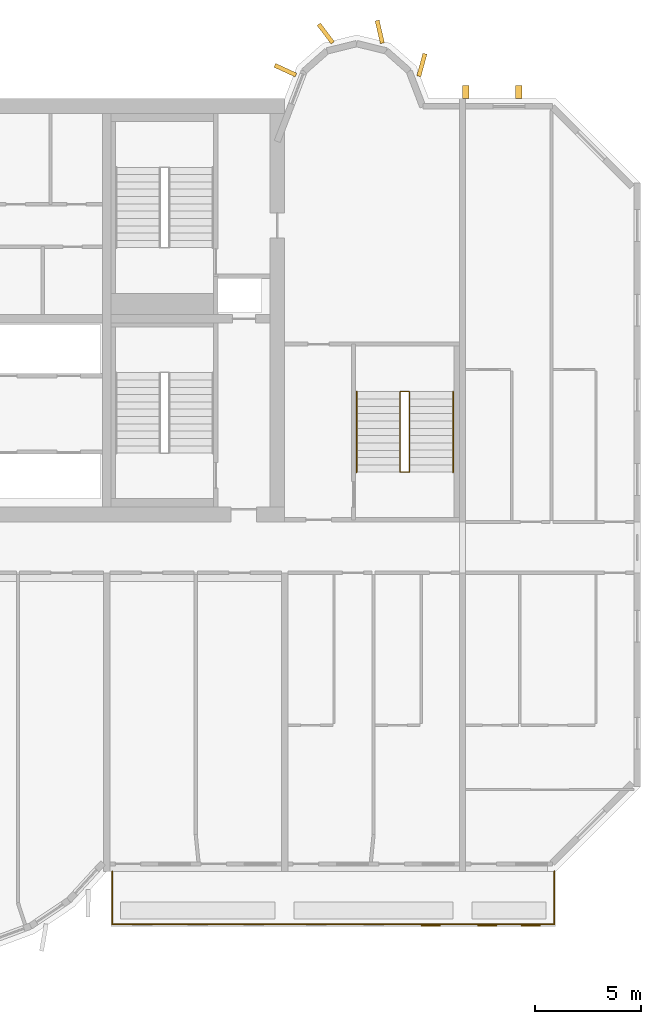
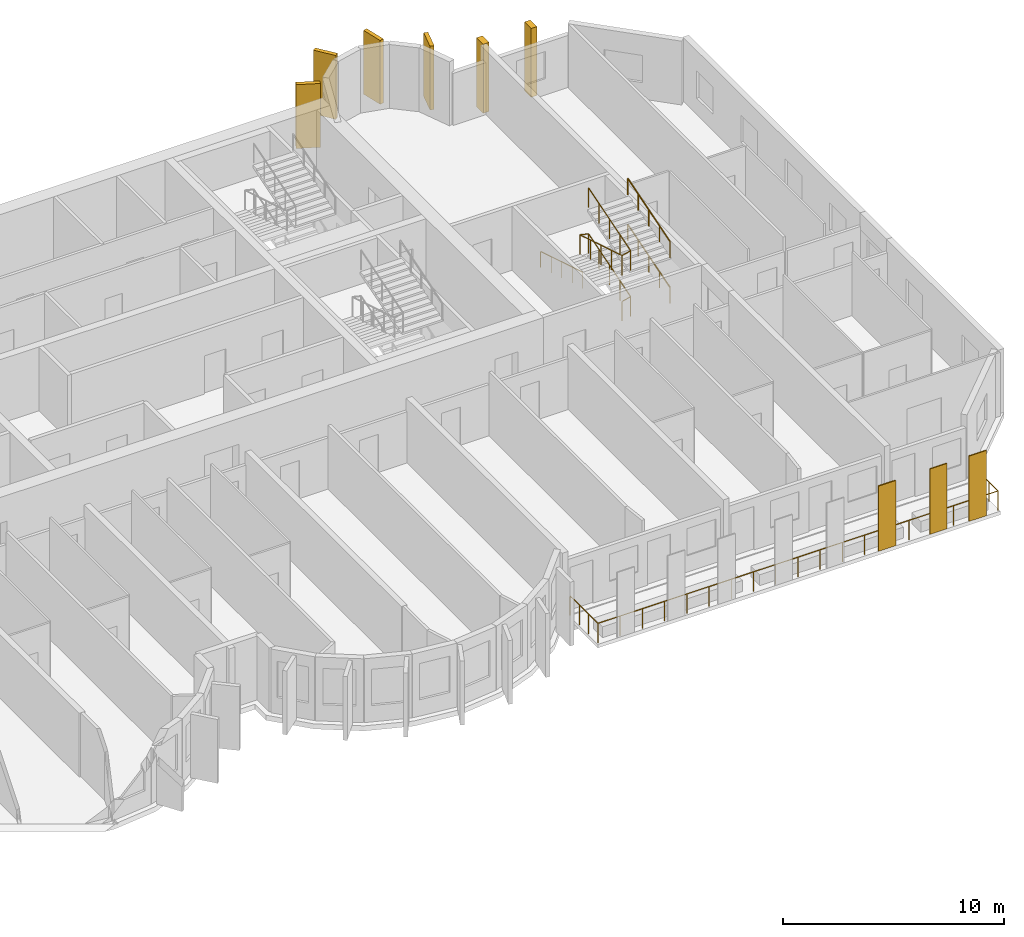
# One storey, part 12 of 13: 9 coverings, 5 railings.
"""IFC4 building model written with IfcOpenShell, lengths in metres."""

from ifc_helpers import new_model, si_unit, direction, frame, origin, origin_2d, place, context, subcontext, project, spatial, rectangle, circle, extrude, source, transform, mapped, material, layer, layer_set, material_profile, profile_set, type_object, element, save


model = new_model("IFC4")

# Units and contexts
model_context = context("Model", 3, precision=1e-05, world=origin(), true_north=direction((0.0, 1.0)))
body_context = subcontext(model_context, "Body", "Model", "MODEL_VIEW")
ifc_project = project(units=[si_unit("LENGTHUNIT", "METRE"), si_unit("AREAUNIT", "SQUARE_METRE"), si_unit("VOLUMEUNIT", "CUBIC_METRE"), si_unit("PLANEANGLEUNIT", "RADIAN"), si_unit("MASSUNIT", "GRAM", prefix="KILO")], contexts=[model_context])

# Site, building, storey
site_placement = place(None, origin())
site = spatial("IfcSite", under=ifc_project, at=site_placement, CompositionType="ELEMENT")
building_placement = place(site_placement, origin())
building = spatial("IfcBuilding", under=site, at=building_placement, Name="Vanashikhar Sky Hotel", CompositionType="ELEMENT")
storey_placement = place(building_placement, frame((0.0, 0.0, 163.0)))
storey = spatial("IfcBuildingStorey", under=building, at=storey_placement, Name="L39", CompositionType="ELEMENT", Elevation=163.0)

# Coverings
ifc_material_1 = material(Name="Terracotta", Category="masonry")
ifc_layer = layer(ifc_material_1, 0.06005859375)
ifc_layer_set = layer_set([ifc_layer], Name="Terracotta baguette screen")
covering_type_1 = type_object("IfcCoveringType", Name="Terracotta baguette screen", PredefinedType="CLADDING", material=ifc_layer_set)
shared_shape_1 = source(origin(), body_context, "Body", "SweptSolid", [
    extrude(rectangle(XDim=0.89990234375, YDim=0.06005859375, at=origin_2d()), origin(), (0.0, 0.0, 1.0), 3.60009765625),
])
for number, where, z_axis, x_axis, name in (
    (1, (82.5, 2.929931640625, -0.050048828125), (0.0, 0.0, 1.0), (1.0, 0.0, 0.0), "Terracotta screen"),
    (2, (85.175048828125, 2.929931640625, -0.050048828125), (0.0, 0.0, 1.0), (1.0, 0.0, 0.0), "Terracotta screen"),
    (3, (87.22509765625, 2.929931640625, -0.050048828125), (0.0, 0.0, 1.0), (1.0, 0.0, 0.0), "Terracotta screen"),
):
    element("IfcCovering", number, at=place(storey_placement, frame(where, z_axis=z_axis, x_axis=x_axis)), inside=storey, type_object=covering_type_1, Name=name, PredefinedType="CLADDING", context=body_context, shape_type="MappedRepresentation", body=[
        mapped(shared_shape_1, transform((0.0, 0.0, 0.0), scale=1.0)),
    ])
ifc_material_2 = material(Name="Concrete M60 dark", Category="concrete")
ifc_material_profile_1 = material_profile(ifc_material_2, rectangle(XDim=1.10009765625, YDim=0.199951171875, at=origin_2d()))
ifc_profile_set_1 = profile_set([ifc_material_profile_1], Name="Rear lobe fin 1100 x 200")
covering_type_2 = type_object("IfcCoveringType", Name="Rear lobe fin 1100 x 200", PredefinedType="CLADDING", material=ifc_profile_set_1)
shared_shape_2 = source(origin(), body_context, "Body", "SweptSolid", [
    extrude(rectangle(XDim=1.10009765625, YDim=0.199951171875, at=origin_2d()), origin(), (0.0, 0.0, 1.0), 3.52001953125),
])
for number, where, z_axis, x_axis, name in (
    (4, (75.63037109375, 43.33447265625, 0.0), (0.0, 0.0, 1.0), (-0.908004291068, 0.418960866193, 0.0), "Fin R2-1"),
    (5, (77.5380859375, 45.06640625, 0.0), (0.0, 0.0, 1.0), (-0.602065892195, 0.798446404874, 0.0), "Fin R2-2"),
    (6, (80.08984375, 45.1455078125, 0.0), (0.0, 0.0, 1.0), (-0.224644935864, 0.974440687159, 0.0), "Fin R2-3"),
    (7, (82.0791015625, 43.580078125, 0.0), (0.0, 0.0, 1.0), (0.262711264409, 0.964874495234, 0.0), "Fin R2-4"),
):
    element("IfcCovering", number, at=place(storey_placement, frame(where, z_axis=z_axis, x_axis=x_axis)), inside=storey, type_object=covering_type_2, Name=name, PredefinedType="CLADDING", context=body_context, shape_type="MappedRepresentation", body=[
        mapped(shared_shape_2, transform((0.0, 0.0, 0.0), scale=1.0)),
    ])

# Railing
ifc_material_3 = material(Name="Stainless steel 316", Category="steel")
railing_type_1 = type_object("IfcRailingType", Name="Balcony guard 1100", PredefinedType="GUARDRAIL", material=ifc_material_3)
shared_shape_3 = source(origin(), body_context, "Body", "SweptSolid", [
    extrude(circle(Radius=0.02392578125, at=origin_2d()), frame((0.0, 0.0, 1.076171875), z_axis=(0.0, -1.0, 0.0), x_axis=(1.0, 0.0, 0.0)), (0.0, 0.0, 1.0), 2.5),
    extrude(circle(Radius=0.02392578125, at=origin_2d()), frame((0.0, -2.5, 1.076171875), z_axis=(1.0, 0.0, 0.0), x_axis=(0.0, 1.0, 0.0)), (0.0, 0.0, 1.0), 20.880126953125),
    extrude(circle(Radius=0.02392578125, at=origin_2d()), frame((20.880126953125, -2.5, 1.076171875), z_axis=(0.0, 1.0, 0.0), x_axis=(-1.0, 0.0, 0.0)), (0.0, 0.0, 1.0), 2.5),
    extrude(circle(Radius=0.02099609375, at=origin_2d()), origin(), (0.0, 0.0, 1.0), 1.052001953125),
    extrude(circle(Radius=0.02099609375, at=origin_2d()), frame((0.0, -0.833251953125, 0.0)), (0.0, 0.0, 1.0), 1.052001953125),
    extrude(circle(Radius=0.02099609375, at=origin_2d()), frame((0.0, -1.666748046875, 0.0)), (0.0, 0.0, 1.0), 1.052001953125),
    extrude(circle(Radius=0.02099609375, at=origin_2d()), frame((0.0, -2.5, 0.0)), (0.0, 0.0, 1.0), 1.052001953125),
    extrude(circle(Radius=0.02099609375, at=origin_2d()), frame((1.159912109375, -2.5, 0.0)), (0.0, 0.0, 1.0), 1.052001953125),
    extrude(circle(Radius=0.02099609375, at=origin_2d()), frame((2.320068359375, -2.5, 0.0)), (0.0, 0.0, 1.0), 1.052001953125),
    extrude(circle(Radius=0.02099609375, at=origin_2d()), frame((3.47998046875, -2.5, 0.0)), (0.0, 0.0, 1.0), 1.052001953125),
    extrude(circle(Radius=0.02099609375, at=origin_2d()), frame((4.64013671875, -2.5, 0.0)), (0.0, 0.0, 1.0), 1.052001953125),
    extrude(circle(Radius=0.02099609375, at=origin_2d()), frame((5.800048828125, -2.5, 0.0)), (0.0, 0.0, 1.0), 1.052001953125),
    extrude(circle(Radius=0.02099609375, at=origin_2d()), frame((6.9599609375, -2.5, 0.0)), (0.0, 0.0, 1.0), 1.052001953125),
    extrude(circle(Radius=0.02099609375, at=origin_2d()), frame((8.1201171875, -2.5, 0.0)), (0.0, 0.0, 1.0), 1.052001953125),
    extrude(circle(Radius=0.02099609375, at=origin_2d()), frame((9.280029296875, -2.5, 0.0)), (0.0, 0.0, 1.0), 1.052001953125),
    extrude(circle(Radius=0.02099609375, at=origin_2d()), frame((10.43994140625, -2.5, 0.0)), (0.0, 0.0, 1.0), 1.052001953125),
    extrude(circle(Radius=0.02099609375, at=origin_2d()), frame((11.60009765625, -2.5, 0.0)), (0.0, 0.0, 1.0), 1.052001953125),
    extrude(circle(Radius=0.02099609375, at=origin_2d()), frame((12.760009765625, -2.5, 0.0)), (0.0, 0.0, 1.0), 1.052001953125),
    extrude(circle(Radius=0.02099609375, at=origin_2d()), frame((13.920166015625, -2.5, 0.0)), (0.0, 0.0, 1.0), 1.052001953125),
    extrude(circle(Radius=0.02099609375, at=origin_2d()), frame((15.080078125, -2.5, 0.0)), (0.0, 0.0, 1.0), 1.052001953125),
    extrude(circle(Radius=0.02099609375, at=origin_2d()), frame((16.239990234375, -2.5, 0.0)), (0.0, 0.0, 1.0), 1.052001953125),
    extrude(circle(Radius=0.02099609375, at=origin_2d()), frame((17.400146484375, -2.5, 0.0)), (0.0, 0.0, 1.0), 1.052001953125),
    extrude(circle(Radius=0.02099609375, at=origin_2d()), frame((18.56005859375, -2.5, 0.0)), (0.0, 0.0, 1.0), 1.052001953125),
    extrude(circle(Radius=0.02099609375, at=origin_2d()), frame((19.72021484375, -2.5, 0.0)), (0.0, 0.0, 1.0), 1.052001953125),
    extrude(circle(Radius=0.02099609375, at=origin_2d()), frame((20.880126953125, -2.5, 0.0)), (0.0, 0.0, 1.0), 1.052001953125),
    extrude(circle(Radius=0.02099609375, at=origin_2d()), frame((20.880126953125, -1.666748046875, 0.0)), (0.0, 0.0, 1.0), 1.052001953125),
    extrude(circle(Radius=0.02099609375, at=origin_2d()), frame((20.880126953125, -0.833251953125, 0.0)), (0.0, 0.0, 1.0), 1.052001953125),
    extrude(circle(Radius=0.02099609375, at=origin_2d()), frame((20.880126953125, 0.0, 0.0)), (0.0, 0.0, 1.0), 1.052001953125),
])
railing_1_placement = place(storey_placement, frame((67.4599609375, 5.5, -0.050048828125)))
element("IfcRailing", 8, at=railing_1_placement, inside=storey, type_object=railing_type_1, Name="Balcony guard", PredefinedType="GUARDRAIL", context=body_context, shape_type="MappedRepresentation", body=[
    mapped(shared_shape_3, transform((0.0, 0.0, 0.0), scale=1.0)),
])

# Coverings
ifc_material_profile_2 = material_profile(ifc_material_2, rectangle(XDim=0.60009765625, YDim=0.300048828125, at=origin_2d()))
ifc_profile_set_2 = profile_set([ifc_material_profile_2], Name="Rear rib 600 x 300")
covering_type_3 = type_object("IfcCoveringType", Name="Rear rib 600 x 300", PredefinedType="CLADDING", material=ifc_profile_set_2)
shared_shape_4 = source(origin(), body_context, "Body", "SweptSolid", [
    extrude(rectangle(XDim=0.60009765625, YDim=0.300048828125, at=origin_2d()), origin(), (0.0, 0.0, 1.0), 3.800048828125),
])
for number, where, z_axis, x_axis, name in (
    (9, (84.14990234375, 42.300048828125, -0.280029296875), (0.0, 0.0, 1.0), (0.0, 1.0, 0.0), "Rear rib"),
    (10, (86.64990234375, 42.300048828125, -0.280029296875), (0.0, 0.0, 1.0), (0.0, 1.0, 0.0), "Rear rib"),
):
    element("IfcCovering", number, at=place(storey_placement, frame(where, z_axis=z_axis, x_axis=x_axis)), inside=storey, type_object=covering_type_3, Name=name, PredefinedType="CLADDING", context=body_context, shape_type="MappedRepresentation", body=[
        mapped(shared_shape_4, transform((0.0, 0.0, 0.0), scale=1.0)),
    ])

# Railings
ifc_material_4 = material(Name="Steel S355", Category="steel")
railing_type_2 = type_object("IfcRailingType", Name="Stair handrail 900", PredefinedType="HANDRAIL", material=ifc_material_4)
shared_shape_5 = source(origin(), body_context, "Body", "SweptSolid", [
    extrude(circle(Radius=0.02392578125, at=origin_2d()), frame((0.0, 0.0, 0.8759765625), z_axis=(0.0, 0.956345846891, 0.292237268557), x_axis=(-1.0, 0.0, 0.0)), (0.0, 0.0, 1.0), 3.97314453125),
    extrude(circle(Radius=0.02099609375, at=origin_2d()), origin(), (0.0, 0.0, 1.0), 0.851806640625),
    extrude(circle(Radius=0.02099609375, at=origin_2d()), frame((0.0, 0.949951171875, 0.290283203125)), (0.0, 0.0, 1.0), 0.851806640625),
    extrude(circle(Radius=0.02099609375, at=origin_2d()), frame((0.0, 1.89990234375, 0.58056640625)), (0.0, 0.0, 1.0), 0.851806640625),
    extrude(circle(Radius=0.02099609375, at=origin_2d()), frame((0.0, 2.849853515625, 0.870849609375)), (0.0, 0.0, 1.0), 0.851806640625),
    extrude(circle(Radius=0.02099609375, at=origin_2d()), frame((0.0, 3.7998046875, 1.1611328125)), (0.0, 0.0, 1.0), 0.851806640625),
])
for number, where, name in (
    (11, (83.550048828125, 24.35009765625, 0.10546875), "Exit stair 4 handrail"),
    (12, (83.550048828125, 24.35009765625, 2.638916015625), "Exit stair 4 handrail"),
):
    element("IfcRailing", number, at=place(storey_placement, frame(where)), inside=storey, type_object=railing_type_2, Name=name, PredefinedType="HANDRAIL", context=body_context, shape_type="MappedRepresentation", body=[
        mapped(shared_shape_5, transform((0.0, 0.0, 0.0), scale=1.0)),
    ])
shared_shape_6 = source(origin(), body_context, "Body", "SweptSolid", [
    extrude(circle(Radius=0.02392578125, at=origin_2d()), frame((0.0, 0.0, 0.8759765625), z_axis=(0.0, -0.956345846891, 0.292237268557), x_axis=(1.0, 0.0, 0.0)), (0.0, 0.0, 1.0), 3.97314453125),
    extrude(circle(Radius=0.02099609375, at=origin_2d()), origin(), (0.0, 0.0, 1.0), 0.851806640625),
    extrude(circle(Radius=0.02099609375, at=origin_2d()), frame((0.0, -0.949951171875, 0.290283203125)), (0.0, 0.0, 1.0), 0.851806640625),
    extrude(circle(Radius=0.02099609375, at=origin_2d()), frame((0.0, -1.89990234375, 0.58056640625)), (0.0, 0.0, 1.0), 0.851806640625),
    extrude(circle(Radius=0.02099609375, at=origin_2d()), frame((0.0, -2.849853515625, 0.870849609375)), (0.0, 0.0, 1.0), 0.851806640625),
    extrude(circle(Radius=0.02099609375, at=origin_2d()), frame((0.0, -3.7998046875, 1.1611328125)), (0.0, 0.0, 1.0), 0.851806640625),
])
railing_2_placement = place(storey_placement, frame((79.0, 28.14990234375, 1.372314453125)))
element("IfcRailing", 13, at=railing_2_placement, inside=storey, type_object=railing_type_2, Name="Exit stair 4 handrail", PredefinedType="HANDRAIL", context=body_context, shape_type="MappedRepresentation", body=[
    mapped(shared_shape_6, transform((0.0, 0.0, 0.0), scale=1.0)),
])
railing_type_3 = type_object("IfcRailingType", Name="Stair guard 1100", PredefinedType="GUARDRAIL", material=ifc_material_4)
shared_shape_7 = source(origin(), body_context, "Body", "SweptSolid", [
    extrude(circle(Radius=0.02392578125, at=origin_2d()), frame((0.0, 0.0, 1.076171875), z_axis=(0.973610808694, 0.0, 0.228214796178), x_axis=(0.0, 1.0, 0.0)), (0.0, 0.0, 1.0), 0.462158203125),
    extrude(circle(Radius=0.02392578125, at=origin_2d()), frame((0.449951171875, 0.0, 1.181640625), z_axis=(0.0, 0.956345846891, 0.292237268557), x_axis=(-1.0, 0.0, 0.0)), (0.0, 0.0, 1.0), 3.97314453125),
    extrude(circle(Radius=0.02392578125, at=origin_2d()), frame((0.449951171875, 3.7998046875, 2.3427734375), z_axis=(-0.973493315427, 0.0, 0.228715466945), x_axis=(0.0, -1.0, 0.0)), (0.0, 0.0, 1.0), 0.462158203125),
    extrude(circle(Radius=0.02392578125, at=origin_2d()), frame((0.0, 3.7998046875, 2.4482421875), z_axis=(0.0, -0.956345846891, 0.292237268557), x_axis=(1.0, 0.0, 0.0)), (0.0, 0.0, 1.0), 3.97314453125),
    extrude(circle(Radius=0.02392578125, at=origin_2d()), frame((0.0, 0.0, 3.609375), z_axis=(0.973610808694, 0.0, 0.228214796178), x_axis=(0.0, 1.0, 0.0)), (0.0, 0.0, 1.0), 0.462158203125),
    extrude(circle(Radius=0.02392578125, at=origin_2d()), frame((0.449951171875, 0.0, 3.71484375), z_axis=(0.0, 0.956345846891, 0.292237268557), x_axis=(-1.0, 0.0, 0.0)), (0.0, 0.0, 1.0), 3.97314453125),
    extrude(circle(Radius=0.02099609375, at=origin_2d()), origin(), (0.0, 0.0, 1.0), 1.052001953125),
    extrude(circle(Radius=0.02099609375, at=origin_2d()), frame((0.449951171875, 0.0, 0.10546875)), (0.0, 0.0, 1.0), 1.052001953125),
    extrude(circle(Radius=0.02099609375, at=origin_2d()), frame((0.449951171875, 0.949951171875, 0.395751953125)), (0.0, 0.0, 1.0), 1.052001953125),
    extrude(circle(Radius=0.02099609375, at=origin_2d()), frame((0.449951171875, 1.89990234375, 0.68603515625)), (0.0, 0.0, 1.0), 1.052001953125),
    extrude(circle(Radius=0.02099609375, at=origin_2d()), frame((0.449951171875, 2.849853515625, 0.976318359375)), (0.0, 0.0, 1.0), 1.052001953125),
    extrude(circle(Radius=0.02099609375, at=origin_2d()), frame((0.449951171875, 3.7998046875, 1.2666015625)), (0.0, 0.0, 1.0), 1.052001953125),
    extrude(circle(Radius=0.02099609375, at=origin_2d()), frame((0.0, 3.7998046875, 1.372314453125)), (0.0, 0.0, 1.0), 1.052001953125),
    extrude(circle(Radius=0.02099609375, at=origin_2d()), frame((0.0, 2.849853515625, 1.66259765625)), (0.0, 0.0, 1.0), 1.052001953125),
    extrude(circle(Radius=0.02099609375, at=origin_2d()), frame((0.0, 1.89990234375, 1.952880859375)), (0.0, 0.0, 1.0), 1.052001953125),
    extrude(circle(Radius=0.02099609375, at=origin_2d()), frame((0.0, 0.949951171875, 2.2431640625)), (0.0, 0.0, 1.0), 1.052001953125),
    extrude(circle(Radius=0.02099609375, at=origin_2d()), frame((0.0, 0.0, 2.533447265625)), (0.0, 0.0, 1.0), 1.052001953125),
    extrude(circle(Radius=0.02099609375, at=origin_2d()), frame((0.449951171875, 0.0, 2.638916015625)), (0.0, 0.0, 1.0), 1.052001953125),
    extrude(circle(Radius=0.02099609375, at=origin_2d()), frame((0.449951171875, 0.949951171875, 2.92919921875)), (0.0, 0.0, 1.0), 1.052001953125),
    extrude(circle(Radius=0.02099609375, at=origin_2d()), frame((0.449951171875, 1.89990234375, 3.219482421875)), (0.0, 0.0, 1.0), 1.052001953125),
    extrude(circle(Radius=0.02099609375, at=origin_2d()), frame((0.449951171875, 2.849853515625, 3.509765625)), (0.0, 0.0, 1.0), 1.052001953125),
    extrude(circle(Radius=0.02099609375, at=origin_2d()), frame((0.449951171875, 3.7998046875, 3.800048828125)), (0.0, 0.0, 1.0), 1.052001953125),
])
railing_3_placement = place(storey_placement, frame((81.050048828125, 24.35009765625, 0.0)))
element("IfcRailing", 14, at=railing_3_placement, inside=storey, type_object=railing_type_3, Name="Exit stair 4 guard", PredefinedType="GUARDRAIL", context=body_context, shape_type="MappedRepresentation", body=[
    mapped(shared_shape_7, transform((0.0, 0.0, 0.0), scale=1.0)),
])

save(model, "model.ifc")
